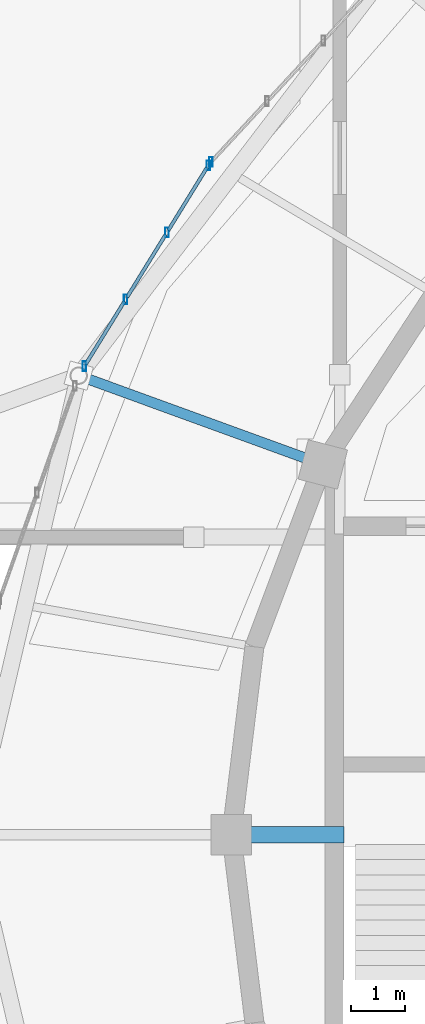
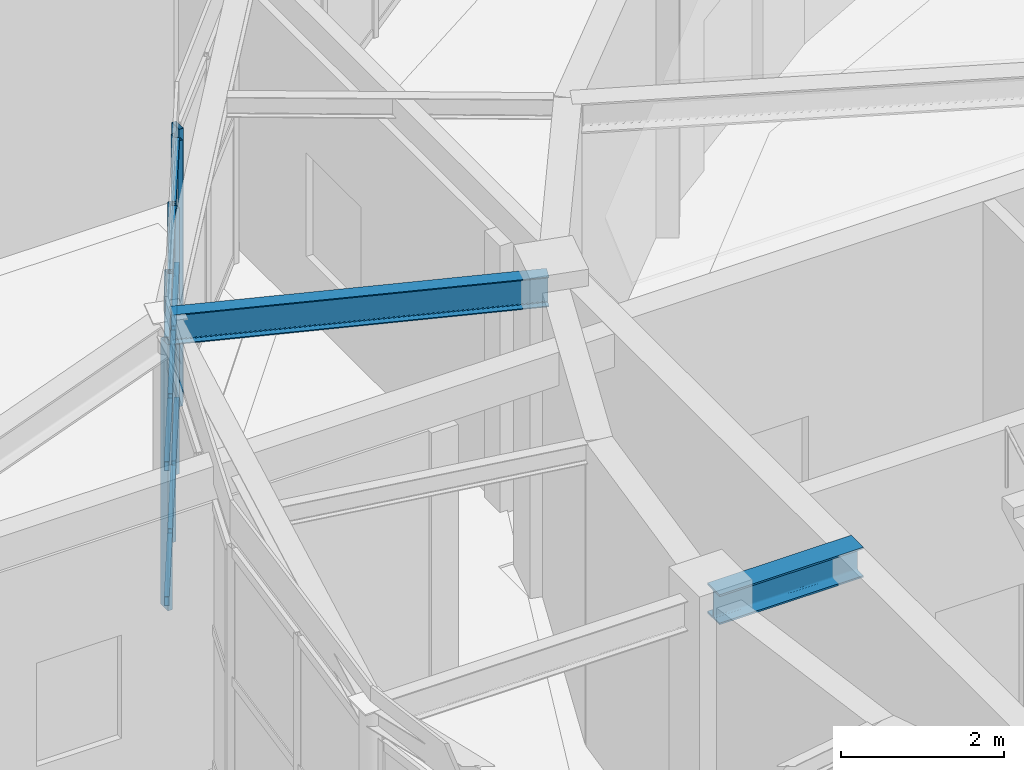
# One storey, part 34 of 108: 14 members, 2 beams, 2 elements without a shape of their own.
"""IFC4 building model written with IfcOpenShell, lengths in metres."""

from ifc_helpers import new_model, si_unit, direction, frame, origin, origin_2d, place, context, subcontext, project, spatial, hollow_rectangle, i_section, extrude, material, material_profile, profile_set, type_object, element, aggregate, save


model = new_model("IFC4")

# Units and contexts
model_context = context("Model", 3, precision=1e-05, world=origin(), true_north=direction((0.0, 1.0)))
body_context = subcontext(model_context, "Body", "Model", "MODEL_VIEW")
ifc_project = project(units=[si_unit("LENGTHUNIT", "METRE"), si_unit("AREAUNIT", "SQUARE_METRE"), si_unit("VOLUMEUNIT", "CUBIC_METRE"), si_unit("PLANEANGLEUNIT", "RADIAN"), si_unit("MASSUNIT", "GRAM", prefix="KILO")], contexts=[model_context])

# Site, building, storey
site_placement = place(None, origin())
site = spatial("IfcSite", under=ifc_project, at=site_placement, CompositionType="ELEMENT")
building_placement = place(site_placement, origin())
building = spatial("IfcBuilding", under=site, at=building_placement, Name="Tarnveldt Headland Concert Hall", CompositionType="ELEMENT")
storey_placement = place(building_placement, frame((0.0, 0.0, 9.60009765625)))
storey = spatial("IfcBuildingStorey", under=building, at=storey_placement, Name="L02", CompositionType="ELEMENT", Elevation=9.60009765625)

# Curtain wall, member
ifc_material_1 = material(Name="Marine-anodised aluminium EN AW-6063-T6", Category="aluminium")
curtain_wall_type = type_object("IfcCurtainWallType", Name="CW-F3", PredefinedType="NOTDEFINED", material=ifc_material_1)
curtain_wall_1_placement = place(storey_placement, origin())
curtain_wall_1 = element("IfcCurtainWall", 1, at=curtain_wall_1_placement, inside=storey, type_object=curtain_wall_type, Name="Curtain wall CW-L02-074", PredefinedType="NOTDEFINED")
ifc_material_profile_1 = material_profile(ifc_material_1, hollow_rectangle(XDim=0.06494140625, YDim=0.179931640625, WallThickness=0.00390625, at=origin_2d()), Name="ALU MULLION 65x180x4", Category="aluminium")
ifc_profile_set_1 = profile_set([ifc_material_profile_1], Name="Marine-anodised aluminium EN AW-6063-T6")
member_type_1 = type_object("IfcMemberType", Name="ML-180", PredefinedType="MULLION", material=ifc_profile_set_1)
member_1_placement = place(storey_placement, frame((55.12158203125, 66.92919921875, 0.0), z_axis=(0.0, 0.0, 1.0), x_axis=(1.0, 0.0, 0.0)))
member_1 = element("IfcMember", 2, at=member_1_placement, type_object=member_type_1, Name="Mullion CW-L02-074-4", PredefinedType="MULLION", context=body_context, shape_type="SweptSolid", body=[
    extrude(hollow_rectangle(XDim=0.06494140625, YDim=0.179931640625, WallThickness=0.00390625, at=origin_2d()), origin(), (0.0, 0.0, 1.0), 4.10791015625),
])
aggregate(curtain_wall_1, [member_1])

# Curtain wall, members
curtain_wall_2_placement = place(storey_placement, origin())
curtain_wall_2 = element("IfcCurtainWall", 3, at=curtain_wall_2_placement, inside=storey, type_object=curtain_wall_type, Name="Curtain wall CW-L02-075", PredefinedType="NOTDEFINED")
member_2_placement = place(storey_placement, frame((55.073486328125, 66.865966796875, 0.0), z_axis=(0.0, 0.0, 1.0), x_axis=(1.0, 0.0, 0.0)))
member_2 = element("IfcMember", 4, at=member_2_placement, type_object=member_type_1, Name="Mullion CW-L02-075-1", PredefinedType="MULLION", context=body_context, shape_type="SweptSolid", body=[
    extrude(hollow_rectangle(XDim=0.06494140625, YDim=0.179931640625, WallThickness=0.00390625, at=origin_2d()), origin(), (0.0, 0.0, 1.0), 3.98779296875),
])
member_3_placement = place(storey_placement, frame((54.310302734375, 65.628662109375, 0.0), z_axis=(0.0, 0.0, 1.0), x_axis=(1.0, 0.0, 0.0)))
member_3 = element("IfcMember", 5, at=member_3_placement, type_object=member_type_1, Name="Mullion CW-L02-075-2", PredefinedType="MULLION", context=body_context, shape_type="SweptSolid", body=[
    extrude(hollow_rectangle(XDim=0.06494140625, YDim=0.179931640625, WallThickness=0.00390625, at=origin_2d()), origin(), (0.0, 0.0, 1.0), 3.98779296875),
])
member_4_placement = place(storey_placement, frame((53.547119140625, 64.391357421875, 0.0), z_axis=(0.0, 0.0, 1.0), x_axis=(1.0, 0.0, 0.0)))
member_4 = element("IfcMember", 6, at=member_4_placement, type_object=member_type_1, Name="Mullion CW-L02-075-3", PredefinedType="MULLION", context=body_context, shape_type="SweptSolid", body=[
    extrude(hollow_rectangle(XDim=0.06494140625, YDim=0.179931640625, WallThickness=0.00390625, at=origin_2d()), origin(), (0.0, 0.0, 1.0), 3.98779296875),
])
member_5_placement = place(storey_placement, frame((52.7841796875, 63.154052734375, 0.0), z_axis=(0.0, 0.0, 1.0), x_axis=(1.0, 0.0, 0.0)))
member_5 = element("IfcMember", 7, at=member_5_placement, type_object=member_type_1, Name="Mullion CW-L02-075-4", PredefinedType="MULLION", context=body_context, shape_type="SweptSolid", body=[
    extrude(hollow_rectangle(XDim=0.06494140625, YDim=0.179931640625, WallThickness=0.00390625, at=origin_2d()), origin(), (0.0, 0.0, 1.0), 3.98779296875),
])

# Beams
ifc_material_2 = material(Name="Steel S355", Category="steel")
ifc_material_profile_2 = material_profile(ifc_material_2, i_section(OverallWidth=0.300048828125, OverallDepth=0.449951171875, WebThickness=0.013916015625, FlangeThickness=0.02587890625, FilletRadius=0.027099609375, at=origin_2d()), Name="HEB450", Category="steel")
ifc_profile_set_2 = profile_set([ifc_material_profile_2], Name="Steel S355")
beam_type_1 = type_object("IfcBeamType", Name="SB-HEB450", PredefinedType="BEAM", material=ifc_profile_set_2)
beam_1_placement = place(storey_placement, frame((57.580078125, 54.5, 4.324951171875), z_axis=(-1.0, 0.0, 0.0), x_axis=(0.0, -1.0, 0.0)))
element("IfcBeam", 8, at=beam_1_placement, inside=storey, type_object=beam_type_1, Name="Framing beam L02-1061", PredefinedType="BEAM", context=body_context, shape_type="SweptSolid", body=[
    extrude(i_section(OverallWidth=0.300048828125, OverallDepth=0.449951171875, WebThickness=0.013916015625, FlangeThickness=0.02587890625, FilletRadius=0.027099609375, at=origin_2d()), origin(), (0.0, 0.0, 1.0), 2.0400390625),
])
ifc_material_profile_3 = material_profile(ifc_material_2, i_section(OverallWidth=0.18994140625, OverallDepth=0.449951171875, WebThickness=0.009521484375, FlangeThickness=0.0146484375, FilletRadius=0.02099609375, at=origin_2d()), Name="IPE450", Category="steel")
ifc_profile_set_3 = profile_set([ifc_material_profile_3], Name="Steel S355")
beam_type_2 = type_object("IfcBeamType", Name="SB-IPE450", PredefinedType="BEAM", material=ifc_profile_set_3)
beam_2_placement = place(storey_placement, frame((57.15087890625, 61.35400390625, 4.344970703125), z_axis=(-0.939673545823, 0.34207254681, 0.0), x_axis=(-0.34207254681, -0.939673545823, 0.0)))
element("IfcBeam", 9, at=beam_2_placement, inside=storey, type_object=beam_type_2, Name="Framing beam L02-1020", PredefinedType="BEAM", context=body_context, shape_type="SweptSolid", body=[
    extrude(i_section(OverallWidth=0.18994140625, OverallDepth=0.449951171875, WebThickness=0.009521484375, FlangeThickness=0.0146484375, FilletRadius=0.02099609375, at=origin_2d()), origin(), (0.0, 0.0, 1.0), 4.69970703125),
])

# Member
ifc_material_profile_4 = material_profile(ifc_material_1, hollow_rectangle(XDim=0.06494140625, YDim=0.139892578125, WallThickness=0.00390625, at=origin_2d()), Name="ALU TRANSOM 65x140x4", Category="aluminium")
ifc_profile_set_4 = profile_set([ifc_material_profile_4], Name="Marine-anodised aluminium EN AW-6063-T6")
member_type_2 = type_object("IfcMemberType", Name="TR-140", PredefinedType="MEMBER", material=ifc_profile_set_4)
member_6_placement = place(storey_placement, frame((55.050048828125, 66.828125, 0.0498046875), z_axis=(-0.524875742193, -0.851178862083, 0.0), x_axis=(0.851178862083, -0.524875742193, 0.0)))
member_6 = element("IfcMember", 10, at=member_6_placement, type_object=member_type_2, Name="Transom CW-L02-075-1-1", PredefinedType="MEMBER", context=body_context, shape_type="SweptSolid", body=[
    extrude(hollow_rectangle(XDim=0.06494140625, YDim=0.139892578125, WallThickness=0.00390625, at=origin_2d()), origin(), (0.0, 0.0, 1.0), 1.36474609375),
])

member_7_placement = place(storey_placement, frame((55.050048828125, 66.828125, 2.07373046875), z_axis=(-0.524875742193, -0.851178862083, 0.0), x_axis=(0.851178862083, -0.524875742193, 0.0)))
member_7 = element("IfcMember", 11, at=member_7_placement, type_object=member_type_2, Name="Transom CW-L02-075-1-2", PredefinedType="MEMBER", context=body_context, shape_type="SweptSolid", body=[
    extrude(hollow_rectangle(XDim=0.06494140625, YDim=0.139892578125, WallThickness=0.00390625, at=origin_2d()), origin(), (0.0, 0.0, 1.0), 1.36474609375),
])

member_8_placement = place(storey_placement, frame((55.050048828125, 66.828125, 3.93798828125), z_axis=(-0.524875742193, -0.851178862083, 0.0), x_axis=(0.851178862083, -0.524875742193, 0.0)))
member_8 = element("IfcMember", 12, at=member_8_placement, type_object=member_type_2, Name="Transom CW-L02-075-1-3", PredefinedType="MEMBER", context=body_context, shape_type="SweptSolid", body=[
    extrude(hollow_rectangle(XDim=0.06494140625, YDim=0.139892578125, WallThickness=0.00390625, at=origin_2d()), origin(), (0.0, 0.0, 1.0), 1.36474609375),
])

member_9_placement = place(storey_placement, frame((54.286865234375, 65.5908203125, 0.0498046875), z_axis=(-0.524875742193, -0.851178862083, 0.0), x_axis=(0.851178862083, -0.524875742193, 0.0)))
member_9 = element("IfcMember", 13, at=member_9_placement, type_object=member_type_2, Name="Transom CW-L02-075-2-1", PredefinedType="MEMBER", context=body_context, shape_type="SweptSolid", body=[
    extrude(hollow_rectangle(XDim=0.06494140625, YDim=0.139892578125, WallThickness=0.00390625, at=origin_2d()), origin(), (0.0, 0.0, 1.0), 1.36474609375),
])

member_10_placement = place(storey_placement, frame((54.286865234375, 65.5908203125, 2.07373046875), z_axis=(-0.524875742193, -0.851178862083, 0.0), x_axis=(0.851178862083, -0.524875742193, 0.0)))
member_10 = element("IfcMember", 14, at=member_10_placement, type_object=member_type_2, Name="Transom CW-L02-075-2-2", PredefinedType="MEMBER", context=body_context, shape_type="SweptSolid", body=[
    extrude(hollow_rectangle(XDim=0.06494140625, YDim=0.139892578125, WallThickness=0.00390625, at=origin_2d()), origin(), (0.0, 0.0, 1.0), 1.36474609375),
])

member_11_placement = place(storey_placement, frame((54.286865234375, 65.5908203125, 3.93798828125), z_axis=(-0.524875742193, -0.851178862083, 0.0), x_axis=(0.851178862083, -0.524875742193, 0.0)))
member_11 = element("IfcMember", 15, at=member_11_placement, type_object=member_type_2, Name="Transom CW-L02-075-2-3", PredefinedType="MEMBER", context=body_context, shape_type="SweptSolid", body=[
    extrude(hollow_rectangle(XDim=0.06494140625, YDim=0.139892578125, WallThickness=0.00390625, at=origin_2d()), origin(), (0.0, 0.0, 1.0), 1.36474609375),
])

member_12_placement = place(storey_placement, frame((53.523681640625, 64.353515625, 0.0498046875), z_axis=(-0.524746114074, -0.851258783076, 0.0), x_axis=(0.851258783076, -0.524746114074, 0.0)))
member_12 = element("IfcMember", 16, at=member_12_placement, type_object=member_type_2, Name="Transom CW-L02-075-3-1", PredefinedType="MEMBER", context=body_context, shape_type="SweptSolid", body=[
    extrude(hollow_rectangle(XDim=0.06494140625, YDim=0.139892578125, WallThickness=0.00390625, at=origin_2d()), origin(), (0.0, 0.0, 1.0), 1.364501953125),
])

member_13_placement = place(storey_placement, frame((53.523681640625, 64.353515625, 2.07373046875), z_axis=(-0.524746114074, -0.851258783076, 0.0), x_axis=(0.851258783076, -0.524746114074, 0.0)))
member_13 = element("IfcMember", 17, at=member_13_placement, type_object=member_type_2, Name="Transom CW-L02-075-3-2", PredefinedType="MEMBER", context=body_context, shape_type="SweptSolid", body=[
    extrude(hollow_rectangle(XDim=0.06494140625, YDim=0.139892578125, WallThickness=0.00390625, at=origin_2d()), origin(), (0.0, 0.0, 1.0), 1.364501953125),
])

member_14_placement = place(storey_placement, frame((53.523681640625, 64.353515625, 3.93798828125), z_axis=(-0.524746114074, -0.851258783076, 0.0), x_axis=(0.851258783076, -0.524746114074, 0.0)))
member_14 = element("IfcMember", 18, at=member_14_placement, type_object=member_type_2, Name="Transom CW-L02-075-3-3", PredefinedType="MEMBER", context=body_context, shape_type="SweptSolid", body=[
    extrude(hollow_rectangle(XDim=0.06494140625, YDim=0.139892578125, WallThickness=0.00390625, at=origin_2d()), origin(), (0.0, 0.0, 1.0), 1.364501953125),
])

aggregate(curtain_wall_2, [member_2, member_3, member_4, member_5, member_6, member_7, member_8, member_9, member_10, member_11, member_12, member_13, member_14])

save(model, "model.ifc")
